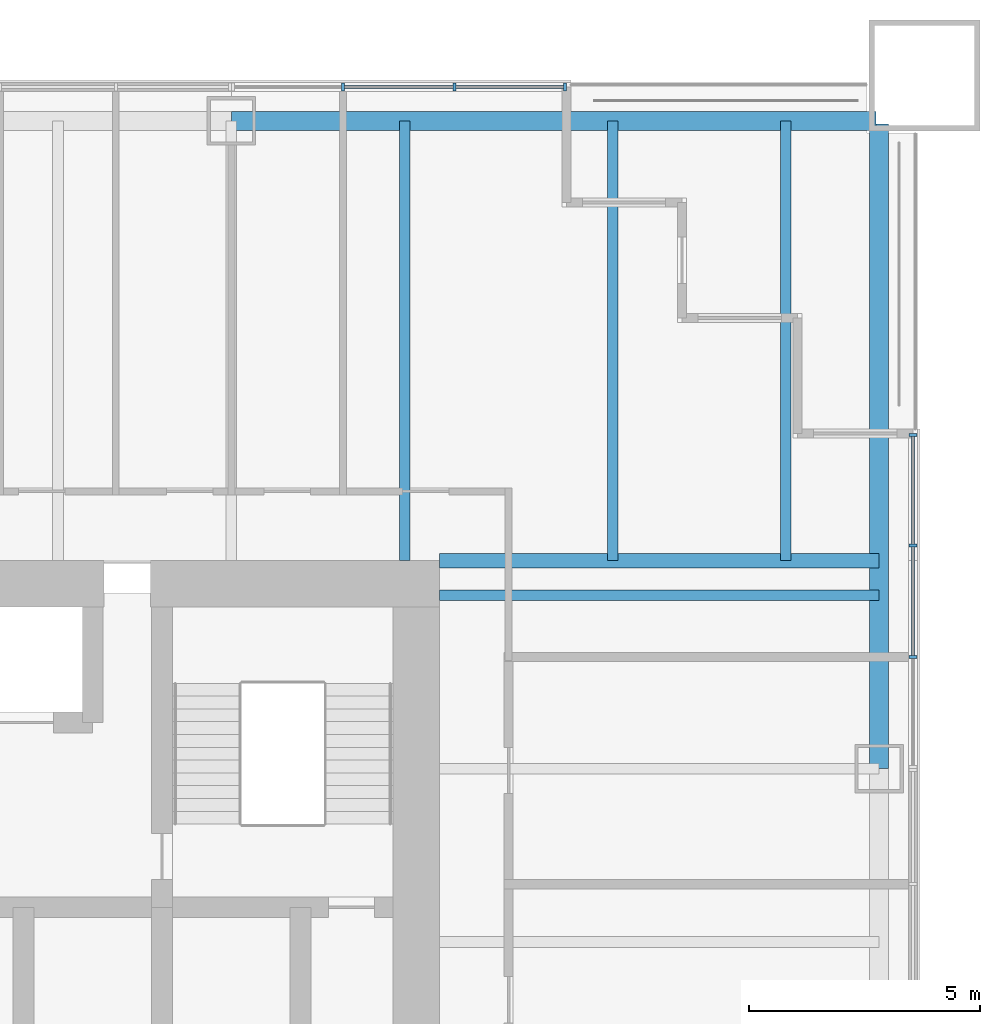
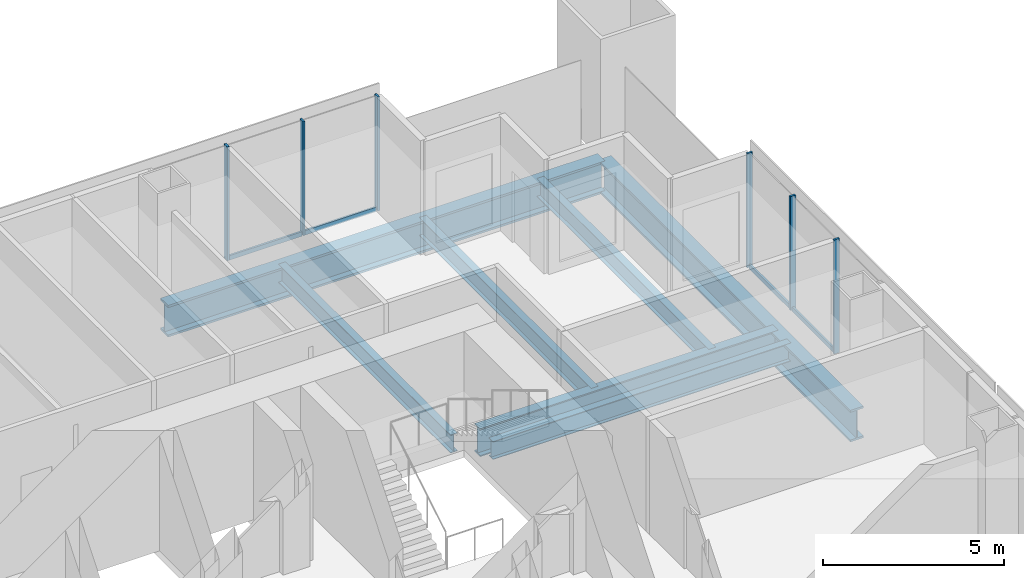
# One storey, part 6 of 14: 10 members, 7 beams, 2 elements without a shape of their own.
"""IFC4 building model written with IfcOpenShell, lengths in metres."""

from ifc_helpers import new_model, si_unit, direction, frame, origin, origin_2d, place, context, subcontext, project, spatial, rectangle, i_section, extrude, material, material_profile, profile_set, type_object, element, aggregate, save


model = new_model("IFC4")

# Units and contexts
model_context = context("Model", 3, precision=1e-05, world=origin(), true_north=direction((0.0, 1.0)))
body_context = subcontext(model_context, "Body", "Model", "MODEL_VIEW")
ifc_project = project(units=[si_unit("LENGTHUNIT", "METRE"), si_unit("AREAUNIT", "SQUARE_METRE"), si_unit("VOLUMEUNIT", "CUBIC_METRE"), si_unit("PLANEANGLEUNIT", "RADIAN"), si_unit("MASSUNIT", "GRAM", prefix="KILO")], contexts=[model_context])

# Site, building, storey
site_placement = place(None, origin())
site = spatial("IfcSite", under=ifc_project, at=site_placement, CompositionType="ELEMENT")
building_placement = place(site_placement, origin())
building = spatial("IfcBuilding", under=site, at=building_placement, Name="Tarangal Relay Tower", CompositionType="ELEMENT")
storey_placement = place(building_placement, frame((0.0, 0.0, 229.89990234375)))
storey = spatial("IfcBuildingStorey", under=building, at=storey_placement, Name="L49", CompositionType="ELEMENT", Elevation=229.89990234375)

# Beams
ifc_material_1 = material(Name="Steel ASTM A992", Category="steel")
ifc_material_profile_1 = material_profile(ifc_material_1, i_section(OverallWidth=0.227783203125, OverallDepth=0.60205078125, WebThickness=0.010498046875, FlangeThickness=0.014892578125, at=origin_2d()), Name="W24X68")
ifc_profile_set_1 = profile_set([ifc_material_profile_1], Name="Steel ASTM A992")
beam_type_1 = type_object("IfcBeamType", Name="Corner beam W24X68", PredefinedType="JOIST", material=ifc_profile_set_1)
for number, where, z_axis, x_axis, name in (
    (1, (15.75, 12.0, -0.450927734375), (0.0, 1.0, 0.0), (-1.0, 0.0, 0.0), "Corner beam CB11 N L49"),
    (2, (19.5, 12.0, -0.450927734375), (0.0, 1.0, 0.0), (-1.0, 0.0, 0.0), "Corner beam CB11 N L49"),
):
    element("IfcBeam", number, at=place(storey_placement, frame(where, z_axis=z_axis, x_axis=x_axis)), inside=storey, type_object=beam_type_1, Name=name, PredefinedType="JOIST", context=body_context, shape_type="SweptSolid", body=[
        extrude(i_section(OverallWidth=0.227783203125, OverallDepth=0.60205078125, WebThickness=0.010498046875, FlangeThickness=0.014892578125, at=origin_2d()), origin(), (0.0, 0.0, 1.0), 9.514892578125),
    ])
ifc_material_profile_2 = material_profile(ifc_material_1, i_section(OverallWidth=0.307373046875, OverallDepth=0.9423828125, WebThickness=0.022216796875, FlangeThickness=0.039794921875, at=origin_2d()), Name="W36X232")
ifc_profile_set_2 = profile_set([ifc_material_profile_2], Name="Steel ASTM A992")
beam_type_2 = type_object("IfcBeamType", Name="Corner girder W36X232", PredefinedType="BEAM", material=ifc_profile_set_2)
beam_placement = place(storey_placement, frame((12.0, 12.0, -0.62109375), z_axis=(1.0, 0.0, 0.0), x_axis=(0.0, 1.0, 0.0)))
element("IfcBeam", 3, at=beam_placement, inside=storey, type_object=beam_type_2, Name="Corner girder CG4 N L49", PredefinedType="BEAM", context=body_context, shape_type="SweptSolid", body=[
    extrude(i_section(OverallWidth=0.307373046875, OverallDepth=0.9423828125, WebThickness=0.022216796875, FlangeThickness=0.039794921875, at=origin_2d()), origin(), (0.0, 0.0, 1.0), 9.514892578125),
])
ifc_material_profile_3 = material_profile(ifc_material_1, i_section(OverallWidth=0.41650390625, OverallDepth=1.0693359375, WebThickness=0.0390625, FlangeThickness=0.070068359375, at=origin_2d()), Name="W40X503")
ifc_profile_set_3 = profile_set([ifc_material_profile_3], Name="Steel ASTM A992")
beam_type_3 = type_object("IfcBeamType", Name="Edge girder W40X503", PredefinedType="SPANDREL", material=ifc_profile_set_3)
for number, where, z_axis, x_axis, name in (
    (4, (7.5, 21.514892578125, -0.6845703125), (1.0, 0.0, 0.0), (0.0, 1.0, 0.0), "Edge girder EG8 N L49"),
    (5, (21.514892578125, 21.449951171875, -0.6845703125), (0.0, -1.0, 0.0), (1.0, 0.0, 0.0), "Edge girder EG8 E L49"),
):
    element("IfcBeam", number, at=place(storey_placement, frame(where, z_axis=z_axis, x_axis=x_axis)), inside=storey, type_object=beam_type_3, Name=name, PredefinedType="SPANDREL", context=body_context, shape_type="SweptSolid", body=[
        extrude(i_section(OverallWidth=0.41650390625, OverallDepth=1.0693359375, WebThickness=0.0390625, FlangeThickness=0.070068359375, at=origin_2d()), origin(), (0.0, 0.0, 1.0), 13.949951171875),
    ])
ifc_material_profile_4 = material_profile(ifc_material_1, i_section(OverallWidth=0.22900390625, OverallDepth=0.612060546875, WebThickness=0.011962890625, FlangeThickness=0.01953125, at=origin_2d()), Name="W24X84")
ifc_profile_set_4 = profile_set([ifc_material_profile_4], Name="Steel ASTM A992")
beam_type_4 = type_object("IfcBeamType", Name="Floor beam W24X84", PredefinedType="BEAM", material=ifc_profile_set_4)
for number, where, z_axis, x_axis, name in (
    (6, (11.25, 12.0, -0.455810546875), (0.0, 1.0, 0.0), (-1.0, 0.0, 0.0), "Floor beam RB12 N L49"),
    (7, (12.0, 11.25, -0.455810546875), (1.0, 0.0, 0.0), (0.0, 1.0, 0.0), "Floor beam RB12 E L49"),
):
    element("IfcBeam", number, at=place(storey_placement, frame(where, z_axis=z_axis, x_axis=x_axis)), inside=storey, type_object=beam_type_4, Name=name, PredefinedType="BEAM", context=body_context, shape_type="SweptSolid", body=[
        extrude(i_section(OverallWidth=0.22900390625, OverallDepth=0.612060546875, WebThickness=0.011962890625, FlangeThickness=0.01953125, at=origin_2d()), origin(), (0.0, 0.0, 1.0), 9.514892578125),
    ])

# Curtain wall, members
ifc_material_2 = material(Name="Unitised curtain wall, dark glass and black aluminium", Category="aluminium")
curtain_wall_type = type_object("IfcCurtainWallType", Name="Curtain wall CW-A", PredefinedType="USERDEFINED", material=ifc_material_2)
curtain_wall_1_placement = place(storey_placement, origin())
curtain_wall_1 = element("IfcCurtainWall", 8, at=curtain_wall_1_placement, inside=storey, type_object=curtain_wall_type, Name="Curtain wall CW-A N facade L49", ObjectType="UNITISED CURTAIN WALL", PredefinedType="USERDEFINED")
ifc_material_3 = material(Name="Black anodised aluminium mullion", Category="aluminium")
ifc_material_profile_5 = material_profile(ifc_material_3, rectangle(XDim=0.175048828125, YDim=0.06494140625, at=origin_2d()), Name="CW-AM 65X175")
ifc_profile_set_5 = profile_set([ifc_material_profile_5], Name="Black anodised aluminium mullion")
member_type_1 = type_object("IfcMemberType", Name="Mullion CW-A 65 x 175", PredefinedType="MULLION", material=ifc_profile_set_5)
member_1_placement = place(storey_placement, frame((9.916748046875, 22.25, 0.0), z_axis=(0.0, 0.0, 1.0), x_axis=(0.0, 1.0, 0.0)))
member_1 = element("IfcMember", 9, at=member_1_placement, type_object=member_type_1, Name="CW-A mullion 2", PredefinedType="MULLION", context=body_context, shape_type="SweptSolid", body=[
    extrude(rectangle(XDim=0.175048828125, YDim=0.06494140625, at=origin_2d()), origin(), (0.0, 0.0, 1.0), 3.85009765625),
])
member_2_placement = place(storey_placement, frame((12.333251953125, 22.25, 0.0), z_axis=(0.0, 0.0, 1.0), x_axis=(0.0, 1.0, 0.0)))
member_2 = element("IfcMember", 10, at=member_2_placement, type_object=member_type_1, Name="CW-A mullion 3", PredefinedType="MULLION", context=body_context, shape_type="SweptSolid", body=[
    extrude(rectangle(XDim=0.175048828125, YDim=0.06494140625, at=origin_2d()), origin(), (0.0, 0.0, 1.0), 3.85009765625),
])
member_3_placement = place(storey_placement, frame((14.717529296875, 22.25, 0.0), z_axis=(0.0, 0.0, 1.0), x_axis=(0.0, 1.0, 0.0)))
member_3 = element("IfcMember", 11, at=member_3_placement, type_object=member_type_1, Name="CW-A mullion 4", PredefinedType="MULLION", context=body_context, shape_type="SweptSolid", body=[
    extrude(rectangle(XDim=0.175048828125, YDim=0.06494140625, at=origin_2d()), origin(), (0.0, 0.0, 1.0), 3.85009765625),
])

curtain_wall_2_placement = place(storey_placement, origin())
curtain_wall_2 = element("IfcCurtainWall", 12, at=curtain_wall_2_placement, inside=storey, type_object=curtain_wall_type, Name="Curtain wall CW-A E facade L49", ObjectType="UNITISED CURTAIN WALL", PredefinedType="USERDEFINED")
member_4_placement = place(storey_placement, frame((22.25, 14.717529296875, 0.0), z_axis=(0.0, 0.0, 1.0), x_axis=(1.0, 0.0, 0.0)))
member_4 = element("IfcMember", 13, at=member_4_placement, type_object=member_type_1, Name="CW-A mullion 1", PredefinedType="MULLION", context=body_context, shape_type="SweptSolid", body=[
    extrude(rectangle(XDim=0.175048828125, YDim=0.06494140625, at=origin_2d()), origin(), (0.0, 0.0, 1.0), 3.85009765625),
])
member_5_placement = place(storey_placement, frame((22.25, 12.333251953125, 0.0), z_axis=(0.0, 0.0, 1.0), x_axis=(1.0, 0.0, 0.0)))
member_5 = element("IfcMember", 14, at=member_5_placement, type_object=member_type_1, Name="CW-A mullion 2", PredefinedType="MULLION", context=body_context, shape_type="SweptSolid", body=[
    extrude(rectangle(XDim=0.175048828125, YDim=0.06494140625, at=origin_2d()), origin(), (0.0, 0.0, 1.0), 3.85009765625),
])
member_6_placement = place(storey_placement, frame((22.25, 9.916748046875, 0.0), z_axis=(0.0, 0.0, 1.0), x_axis=(1.0, 0.0, 0.0)))
member_6 = element("IfcMember", 15, at=member_6_placement, type_object=member_type_1, Name="CW-A mullion 3", PredefinedType="MULLION", context=body_context, shape_type="SweptSolid", body=[
    extrude(rectangle(XDim=0.175048828125, YDim=0.06494140625, at=origin_2d()), origin(), (0.0, 0.0, 1.0), 3.85009765625),
])

# Member
ifc_material_4 = material(Name="Black anodised aluminium transom", Category="aluminium")
ifc_material_profile_6 = material_profile(ifc_material_4, rectangle(XDim=0.06494140625, YDim=0.14990234375, at=origin_2d()), Name="CW-AT 65X150")
ifc_profile_set_6 = profile_set([ifc_material_profile_6], Name="Black anodised aluminium transom")
member_type_2 = type_object("IfcMemberType", Name="Transom CW-A 65 x 150", PredefinedType="USERDEFINED", material=ifc_profile_set_6)
member_7_placement = place(storey_placement, frame((9.94921875, 22.25, 0.03271484375), z_axis=(1.0, 0.0, 0.0), x_axis=(0.0, 1.0, 0.0)))
member_7 = element("IfcMember", 16, at=member_7_placement, type_object=member_type_2, Name="CW-A transom 2.1", ObjectType="TRANSOM", PredefinedType="USERDEFINED", context=body_context, shape_type="SweptSolid", body=[
    extrude(rectangle(XDim=0.06494140625, YDim=0.14990234375, at=origin_2d()), origin(), (0.0, 0.0, 1.0), 2.3515625),
])

member_8_placement = place(storey_placement, frame((12.36572265625, 22.25, 0.03271484375), z_axis=(1.0, 0.0, 0.0), x_axis=(0.0, 1.0, 0.0)))
member_8 = element("IfcMember", 17, at=member_8_placement, type_object=member_type_2, Name="CW-A transom 3.1", ObjectType="TRANSOM", PredefinedType="USERDEFINED", context=body_context, shape_type="SweptSolid", body=[
    extrude(rectangle(XDim=0.06494140625, YDim=0.14990234375, at=origin_2d()), origin(), (0.0, 0.0, 1.0), 2.3193359375),
])

aggregate(curtain_wall_1, [member_1, member_2, member_3, member_7, member_8])

member_9_placement = place(storey_placement, frame((22.25, 14.68505859375, 0.03271484375), z_axis=(0.0, -1.0, 0.0), x_axis=(1.0, 0.0, 0.0)))
member_9 = element("IfcMember", 18, at=member_9_placement, type_object=member_type_2, Name="CW-A transom 1.1", ObjectType="TRANSOM", PredefinedType="USERDEFINED", context=body_context, shape_type="SweptSolid", body=[
    extrude(rectangle(XDim=0.06494140625, YDim=0.14990234375, at=origin_2d()), origin(), (0.0, 0.0, 1.0), 2.3193359375),
])

member_10_placement = place(storey_placement, frame((22.25, 12.30078125, 0.03271484375), z_axis=(0.0, -1.0, 0.0), x_axis=(1.0, 0.0, 0.0)))
member_10 = element("IfcMember", 19, at=member_10_placement, type_object=member_type_2, Name="CW-A transom 2.1", ObjectType="TRANSOM", PredefinedType="USERDEFINED", context=body_context, shape_type="SweptSolid", body=[
    extrude(rectangle(XDim=0.06494140625, YDim=0.14990234375, at=origin_2d()), origin(), (0.0, 0.0, 1.0), 2.3515625),
])

aggregate(curtain_wall_2, [member_4, member_5, member_6, member_9, member_10])

save(model, "model.ifc")
